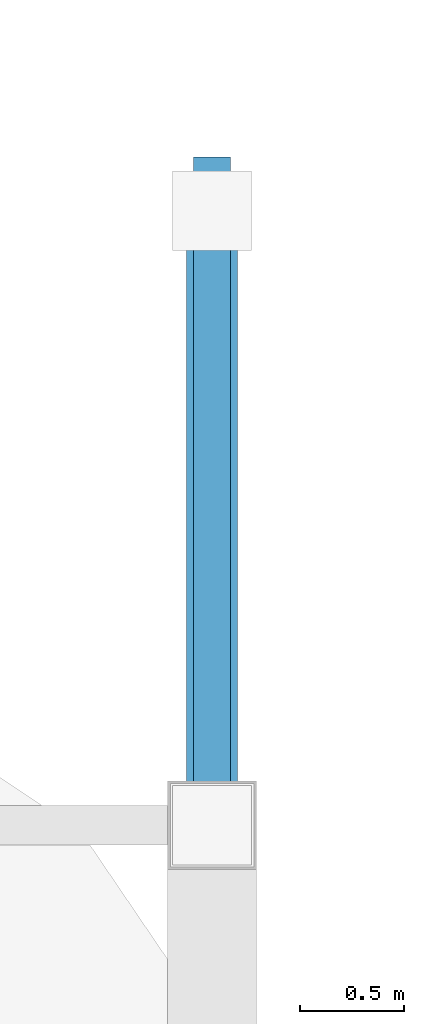
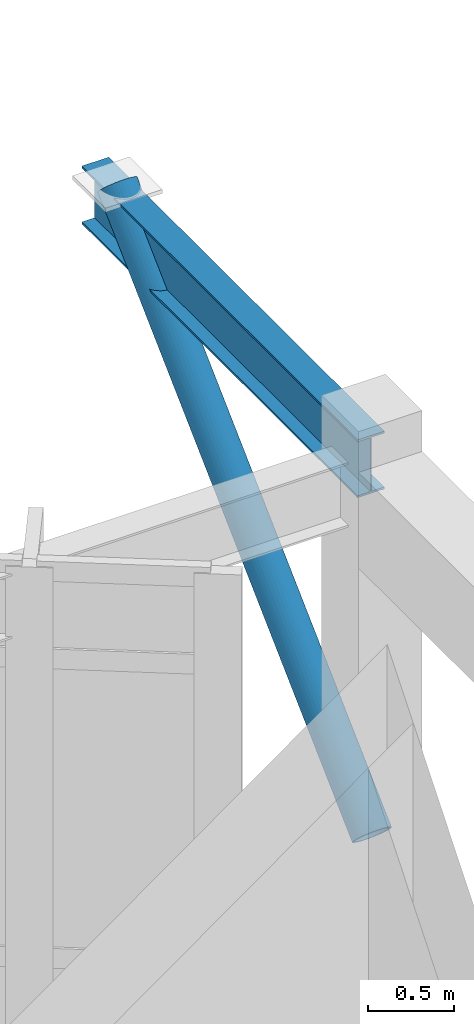
# One storey, part 28 of 105: 1 beam, 1 member.
"""IFC4 building model written with IfcOpenShell, lengths in metres."""

from ifc_helpers import new_model, si_unit, direction, frame, origin, origin_2d, place, context, subcontext, project, spatial, hollow_circle, i_section, extrude, material, material_profile, profile_set, type_object, element, save


model = new_model("IFC4")

# Units and contexts
model_context = context("Model", 3, precision=1e-05, world=origin(), true_north=direction((0.0, 1.0)))
body_context = subcontext(model_context, "Body", "Model", "MODEL_VIEW")
ifc_project = project(units=[si_unit("LENGTHUNIT", "METRE"), si_unit("AREAUNIT", "SQUARE_METRE"), si_unit("VOLUMEUNIT", "CUBIC_METRE"), si_unit("PLANEANGLEUNIT", "RADIAN"), si_unit("MASSUNIT", "GRAM", prefix="KILO")], contexts=[model_context])

# Site, building, storey
site_placement = place(None, origin())
site = spatial("IfcSite", under=ifc_project, at=site_placement, CompositionType="ELEMENT")
building_placement = place(site_placement, origin())
building = spatial("IfcBuilding", under=site, at=building_placement, Name="Corveleigh Park Community Centre", CompositionType="ELEMENT")
storey_placement = place(building_placement, frame((0.0, 0.0, 8.699951171875)))
storey = spatial("IfcBuildingStorey", under=building, at=storey_placement, Name="L02", CompositionType="ELEMENT", Elevation=8.699951171875)

# Beam
ifc_material = material(Name="Steel S355", Category="steel")
ifc_material_profile_1 = material_profile(ifc_material, i_section(OverallWidth=0.1787109375, OverallDepth=0.409423828125, WebThickness=0.0087890625, FlangeThickness=0.014404296875, at=origin_2d()), Name="UKB 406x178x67", Category="steel")
ifc_profile_set_1 = profile_set([ifc_material_profile_1], Name="Steel S355")
beam_type = type_object("IfcBeamType", Name="BM-STL-UKB406x67", PredefinedType="BEAM", material=ifc_profile_set_1)
beam_placement = place(storey_placement, frame((108.0, 26.81005859375, 3.459228515625), z_axis=(0.0, 1.0, 0.0), x_axis=(-1.0, 0.0, 0.0)))
element("IfcBeam", 1, at=beam_placement, inside=storey, type_object=beam_type, Name="V3 Pebble Overhang Strut 6-2 Outrigger", PredefinedType="BEAM", context=body_context, shape_type="SweptSolid", body=[
    extrude(i_section(OverallWidth=0.1787109375, OverallDepth=0.409423828125, WebThickness=0.0087890625, FlangeThickness=0.014404296875, at=origin_2d()), origin(), (0.0, 0.0, 1.0), 3.18994140625),
])

# Member
ifc_material_profile_2 = material_profile(ifc_material, hollow_circle(Radius=0.122314453125, WallThickness=0.012451171875, at=origin_2d()), Name="CHS 244.5x12.5", Category="steel")
ifc_profile_set_2 = profile_set([ifc_material_profile_2], Name="Steel S355")
member_type = type_object("IfcMemberType", Name="MEM-STR-CHS245", PredefinedType="STRUT", material=ifc_profile_set_2)
member_placement = place(storey_placement, frame((108.0, 26.800048828125, 0.85009765625), z_axis=(0.0, 0.723742424905, 0.690070215553), x_axis=(-1.0, 0.0, 0.0)))
element("IfcMember", 2, at=member_placement, inside=storey, type_object=member_type, Name="V3 Pebble Overhang Strut 6-2", PredefinedType="STRUT", context=body_context, shape_type="SweptSolid", body=[
    extrude(hollow_circle(Radius=0.122314453125, WallThickness=0.012451171875, at=origin_2d()), origin(), (0.0, 0.0, 1.0), 4.067626953125),
])

save(model, "model.ifc")
